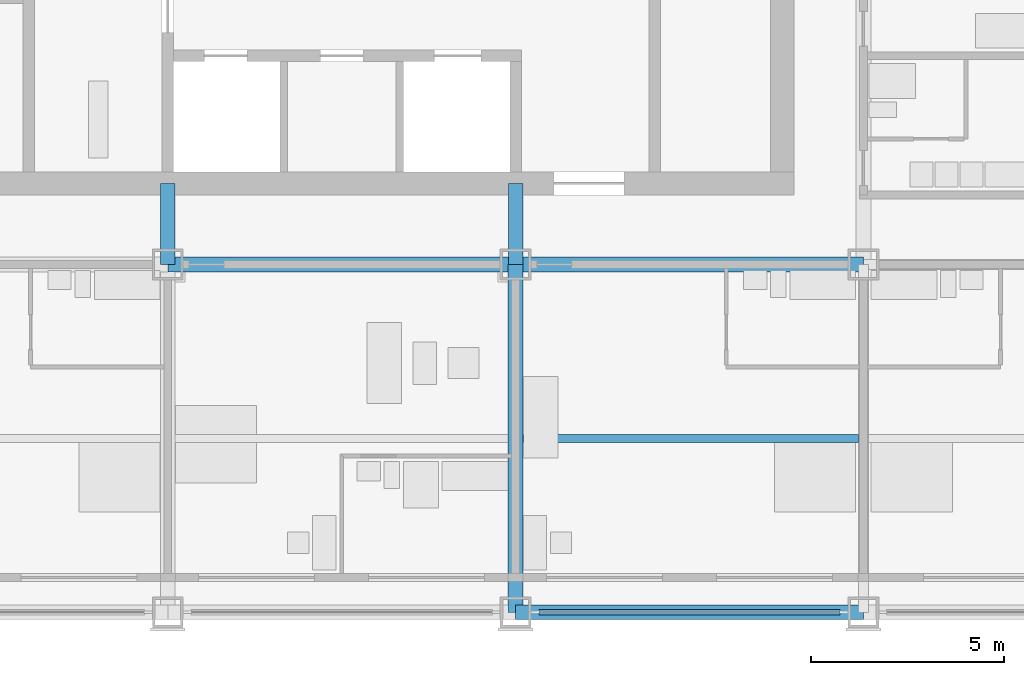
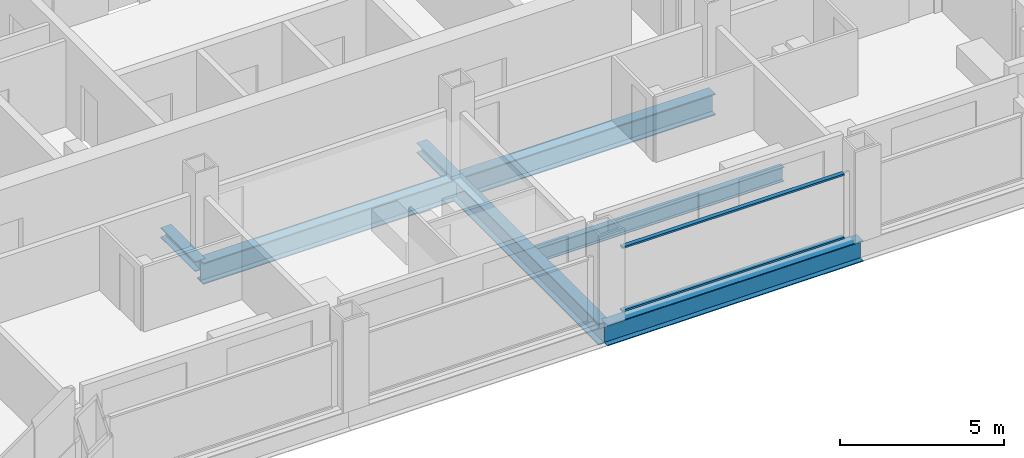
# One storey, part 3 of 13: 5 beams, 4 members, 1 element without a shape of its own.
"""IFC4 building model written with IfcOpenShell, lengths in metres."""

import ifcopenshell
import ifcopenshell.guid

model = None  # the IFC model being written
_history = None  # IfcOwnerHistory: only IFC2X3 demands one
_inside = {}  # id of a spatial element -> (the spatial element, [elements in it])
_under = {}  # id of a project, library or spatial element -> (it, [spatial elements below it])
_declared = {}  # id of a project -> (the project, [libraries it declares])
_typed = {}  # id of a type object -> (the type object, [elements of that type])
_made_of = {}  # id of a material, layer set ... -> (it, [elements and type objects made of it])


def new_model(schema):
    """Start an empty IFC model of exactly this schema.

    Asked for "IFC4X3", IfcOpenShell would pick the latest addendum, in which some entities
    have other attributes; the version numbers below select the first issue.
    IFC2X3 requires an IfcOwnerHistory on every rooted entity: one is made here for all.
    """
    global model, _history
    if schema == "IFC4X3":
        model = ifcopenshell.file(schema_version=(4, 3, 0, 0))
    else:
        model = ifcopenshell.file(schema=schema)
    _inside.clear()
    _under.clear()
    _declared.clear()
    _typed.clear()
    _made_of.clear()
    _history = None
    if model.schema == "IFC2X3":
        org = make("IfcOrganization", Name="unknown")
        user = make(
            "IfcPersonAndOrganization",
            ThePerson=make("IfcPerson", FamilyName="unknown"),
            TheOrganization=org,
        )
        app = make(
            "IfcApplication",
            ApplicationDeveloper=org,
            Version="unknown",
            ApplicationFullName="unknown",
            ApplicationIdentifier="unknown",
        )
        _history = make(
            "IfcOwnerHistory",
            OwningUser=user,
            OwningApplication=app,
            ChangeAction="ADDED",
            CreationDate=0,
        )
    return model


def make(cls, **values):
    """One entity of the class cls with the attributes given. An attribute that is None is left unset."""
    return model.create_entity(
        cls, **{name: value for name, value in values.items() if value is not None}
    )


def rooted(cls, **values):
    """An entity with a GlobalId (a new one), such as an element, a storey or a relation."""
    return make(cls, GlobalId=ifcopenshell.guid.new(), OwnerHistory=_history, **values)


def si_unit(unit_type, name, prefix=None):
    """IfcSIUnit, for example si_unit("LENGTHUNIT", "METRE", prefix="MILLI")."""
    return make("IfcSIUnit", UnitType=unit_type, Prefix=prefix, Name=name)


def assignment(units):
    """IfcUnitAssignment: the units of a project."""
    return None if units is None else make("IfcUnitAssignment", Units=units)


def point(xyz):
    """IfcCartesianPoint."""
    return None if xyz is None else make("IfcCartesianPoint", Coordinates=xyz)


def direction(xyz):
    """IfcDirection."""
    return None if xyz is None else make("IfcDirection", DirectionRatios=xyz)


def frame(location, z_axis=None, x_axis=None):
    """IfcAxis2Placement3D, a coordinate frame: its origin and axes. An axis left out is left unset."""
    return make(
        "IfcAxis2Placement3D",
        Location=point(location),
        Axis=direction(z_axis),
        RefDirection=direction(x_axis),
    )


def frame_2d(location, x_axis=None):
    """IfcAxis2Placement2D, a coordinate frame in the plane: its origin and x axis."""
    return make(
        "IfcAxis2Placement2D", Location=point(location), RefDirection=direction(x_axis)
    )


def origin():
    """The frame at (0, 0, 0) with its axes left unset."""
    return frame((0.0, 0.0, 0.0))


def origin_2d():
    """The frame at (0, 0) in the plane with its x axis left unset."""
    return frame_2d((0.0, 0.0))


def place(relative_to, where):
    """IfcLocalPlacement: puts the frame where relative to a parent placement (None: the world)."""
    return make(
        "IfcLocalPlacement", PlacementRelTo=relative_to, RelativePlacement=where
    )


def context(
    kind, dimensions, precision=None, world=None, true_north=None, identifier=None
):
    """IfcGeometricRepresentationContext, for example the 3D "Model" context."""
    return make(
        "IfcGeometricRepresentationContext",
        ContextIdentifier=identifier,
        ContextType=kind,
        CoordinateSpaceDimension=dimensions,
        Precision=precision,
        WorldCoordinateSystem=world,
        TrueNorth=true_north,
    )


def subcontext(parent, identifier, kind, view, scale=None):
    """IfcGeometricRepresentationSubContext, for example "Body" below "Model"."""
    return make(
        "IfcGeometricRepresentationSubContext",
        ContextIdentifier=identifier,
        ContextType=kind,
        ParentContext=parent,
        TargetScale=scale,
        TargetView=view,
    )


def project(units=None, contexts=None):
    """IfcProject with its units and contexts."""
    return rooted(
        "IfcProject",
        Name="project",
        RepresentationContexts=contexts,
        UnitsInContext=assignment(units),
    )


def spatial(cls, under=None, at=None, **own):
    """A site, building, storey or space (cls), placed at a placement, below another one or the project."""
    s = rooted(cls, ObjectPlacement=at, **own)
    if under is not None:
        _under.setdefault(under.id(), (under, []))[1].append(s)
    return s


def profile(cls, at=None, kind="AREA", **sizes):
    """A parametric profile (cls). Its sizes go by their IFC names, for example OverallWidth=200.0."""
    return make(cls, ProfileType=kind, Position=at, **sizes)


def rectangle(**sizes):
    """IfcRectangleProfileDef."""
    return profile("IfcRectangleProfileDef", **sizes)


def i_section(**sizes):
    """IfcIShapeProfileDef."""
    return profile("IfcIShapeProfileDef", **sizes)


def extrude(swept, where, along, depth):
    """IfcExtrudedAreaSolid: the profile swept, set in the frame where, extruded along a direction by depth."""
    return make(
        "IfcExtrudedAreaSolid",
        SweptArea=swept,
        Position=where,
        ExtrudedDirection=direction(along),
        Depth=depth,
    )


def shape(context_of_items, identifier, shape_type, items):
    """IfcShapeRepresentation: the items that make up one representation, for example the "Body"."""
    return make(
        "IfcShapeRepresentation",
        ContextOfItems=context_of_items,
        RepresentationIdentifier=identifier,
        RepresentationType=shape_type,
        Items=items,
    )


def material(Name=None, Category=None):
    """IfcMaterial."""
    return make("IfcMaterial", Name=Name, Category=Category)


def material_profile(
    of_material, cross_section, Name=None, Category=None, Priority=None
):
    """IfcMaterialProfile: a cross section and its material."""
    return make(
        "IfcMaterialProfile",
        Name=Name,
        Material=of_material,
        Profile=cross_section,
        Priority=Priority,
        Category=Category,
    )


def profile_set(profiles, Name=None, composite=None):
    """IfcMaterialProfileSet."""
    return make(
        "IfcMaterialProfileSet",
        Name=Name,
        MaterialProfiles=profiles,
        CompositeProfile=composite,
    )


def made_of(thing, what):
    """Note that an element or type object is made of a material, layer set ...; save() writes the relation."""
    if what is not None:
        _made_of.setdefault(what.id(), (what, []))[1].append(thing)
    return thing


def type_object(cls, material=None, **own):
    """A type object (cls), such as IfcWallType, which elements share."""
    return made_of(rooted(cls, **own), material)


def element(
    cls,
    number,
    at=None,
    inside=None,
    cuts=None,
    type_object=None,
    material=None,
    context=None,
    identifier="Body",
    shape_type=None,
    held_by="IfcProductDefinitionShape",
    body=None,
    shapes=None,
    **own,
):
    """One element of the class cls, such as IfcWall. Its Tag is "e" and its number.

    at: its placement. inside: the storey or other place that contains it. cuts: it is an
    opening in that element (IfcRelVoidsElement). A single representation is given by context,
    identifier, shape_type and body (its items); several are given by shapes. held_by: the class
    of the entity that holds the representations. save() writes the other relations.
    """
    e = rooted(cls, Tag="e%d" % number, ObjectPlacement=at, **own)
    if body is not None:
        shapes = [shape(context, identifier, shape_type, body)]
    if shapes is not None:
        e.Representation = make(held_by, Representations=shapes)
    if inside is not None:
        _inside.setdefault(inside.id(), (inside, []))[1].append(e)
    if cuts is not None:
        rooted(
            "IfcRelVoidsElement", RelatingBuildingElement=cuts, RelatedOpeningElement=e
        )
    if type_object is not None:
        _typed.setdefault(type_object.id(), (type_object, []))[1].append(e)
    return made_of(e, material)


def aggregate(whole, parts):
    """IfcRelAggregates: a whole, such as a stair, and the parts it consists of."""
    return rooted("IfcRelAggregates", RelatingObject=whole, RelatedObjects=parts)


def save(model, path):
    """Write the relations noted so far, then the file.

    IfcRelAggregates (storeys below a building ...), IfcRelContainedInSpatialStructure (elements
    in a storey), IfcRelDefinesByType, IfcRelAssociatesMaterial and IfcRelDeclares: one each for
    every whole, place, type object, material and project.
    """
    for whole, parts in _under.values():
        aggregate(whole, parts)
    for where, things in _inside.values():
        rooted(
            "IfcRelContainedInSpatialStructure",
            RelatedElements=things,
            RelatingStructure=where,
        )
    for kind, things in _typed.values():
        rooted("IfcRelDefinesByType", RelatedObjects=things, RelatingType=kind)
    for what, things in _made_of.values():
        rooted("IfcRelAssociatesMaterial", RelatedObjects=things, RelatingMaterial=what)
    for by, libraries in _declared.values():
        rooted("IfcRelDeclares", RelatingContext=by, RelatedDefinitions=libraries)
    model.write(path)


model = new_model("IFC4")

# Units and contexts
model_context = context("Model", 3, precision=1e-05, world=origin(), true_north=direction((0.0, 1.0)))
body_context = subcontext(model_context, "Body", "Model", "MODEL_VIEW")
ifc_project = project(units=[si_unit("LENGTHUNIT", "METRE"), si_unit("AREAUNIT", "SQUARE_METRE"), si_unit("VOLUMEUNIT", "CUBIC_METRE"), si_unit("PLANEANGLEUNIT", "RADIAN"), si_unit("MASSUNIT", "GRAM", prefix="KILO")], contexts=[model_context])

# Site, building, storey
site_placement = place(None, origin())
site = spatial("IfcSite", under=ifc_project, at=site_placement, CompositionType="ELEMENT")
building_placement = place(site_placement, origin())
building = spatial("IfcBuilding", under=site, at=building_placement, Name="Loomwork Tower", CompositionType="ELEMENT")
storey_placement = place(building_placement, frame((0.0, 0.0, 180.800048828125)))
storey = spatial("IfcBuildingStorey", under=building, at=storey_placement, Name="L49", CompositionType="ELEMENT", Elevation=180.800048828125)

# Beams
ifc_material_1 = material(Name="Steel ASTM A992", Category="steel")
ifc_material_profile_1 = material_profile(ifc_material_1, i_section(OverallWidth=0.383544921875, OverallDepth=0.794921875, WebThickness=0.02099609375, FlangeThickness=0.0380859375, at=origin_2d()), Name="W30x235")
ifc_profile_set_1 = profile_set([ifc_material_profile_1], Name="Steel ASTM A992")
beam_type_1 = type_object("IfcBeamType", Name="CORE FLANK GIRDER W30x235", PredefinedType="BEAM", material=ifc_profile_set_1)
for number, where, z_axis, x_axis, name in (
    (1, (18.0, 9.0, -0.59765625), (1.0, 0.0, 0.0), (0.0, 1.0, 0.0), "Core Flank Girder E/4-E/5 L49"),
    (2, (27.0, 9.0, -0.59765625), (1.0, 0.0, 0.0), (0.0, 1.0, 0.0), "Core Flank Girder E/5-E/6 L49"),
    (3, (27.0, 0.0, -0.59765625), (0.0, 1.0, 0.0), (-1.0, 0.0, 0.0), "Core Flank Girder D/5-E/5 L49"),
):
    element("IfcBeam", number, at=place(storey_placement, frame(where, z_axis=z_axis, x_axis=x_axis)), inside=storey, type_object=beam_type_1, Name=name, PredefinedType="BEAM", context=body_context, shape_type="SweptSolid", body=[
        extrude(i_section(OverallWidth=0.383544921875, OverallDepth=0.794921875, WebThickness=0.02099609375, FlangeThickness=0.0380859375, at=origin_2d()), origin(), (0.0, 0.0, 1.0), 9.0),
    ])

# Members
ifc_material_2 = material(Name="Steel ASTM A992", Category="steel")
ifc_material_profile_2 = material_profile(ifc_material_2, i_section(OverallWidth=0.373291015625, OverallDepth=0.373291015625, WebThickness=0.016357421875, FlangeThickness=0.026123046875, at=origin_2d()), Name="W14x132")
ifc_profile_set_2 = profile_set([ifc_material_profile_2], Name="Steel ASTM A992")
member_type_1 = type_object("IfcMemberType", Name="CORE LINK STRUT W14x132", PredefinedType="STRUT", material=ifc_profile_set_2)
for number, where, z_axis, x_axis, name in (
    (4, (27.0, 9.0, -0.38671875), (0.0, 1.0, 0.0), (-1.0, 0.0, 0.0), "Core link strut E/5-27.000,11.100 L49"),
    (5, (18.0, 9.0, -0.38671875), (0.0, 1.0, 0.0), (-1.0, 0.0, 0.0), "Core link strut E/4-18.000,11.100 L49"),
):
    element("IfcMember", number, at=place(storey_placement, frame(where, z_axis=z_axis, x_axis=x_axis)), inside=storey, type_object=member_type_1, Name=name, PredefinedType="STRUT", context=body_context, shape_type="SweptSolid", body=[
        extrude(i_section(OverallWidth=0.373291015625, OverallDepth=0.373291015625, WebThickness=0.016357421875, FlangeThickness=0.026123046875, at=origin_2d()), origin(), (0.0, 0.0, 1.0), 2.10009765625),
    ])

# Beam
ifc_material_3 = material(Name="Steel ASTM A992", Category="steel")
ifc_material_profile_3 = material_profile(ifc_material_3, i_section(OverallWidth=0.2109375, OverallDepth=0.53857421875, WebThickness=0.011474609375, FlangeThickness=0.018798828125, at=origin_2d()), Name="W21x73")
ifc_profile_set_3 = profile_set([ifc_material_profile_3], Name="Steel ASTM A992")
beam_type_2 = type_object("IfcBeamType", Name="FLOOR JOIST W21x73", PredefinedType="JOIST", material=ifc_profile_set_3)
beam_1_placement = place(storey_placement, frame((27.19091796875, 4.5, -0.46923828125), z_axis=(1.0, 0.0, 0.0), x_axis=(0.0, 1.0, 0.0)))
element("IfcBeam", 6, at=beam_1_placement, inside=storey, type_object=beam_type_2, Name="Floor Joist 27.000,4.500-36.000,4.500 L49", PredefinedType="JOIST", context=body_context, shape_type="SweptSolid", body=[
    extrude(i_section(OverallWidth=0.2109375, OverallDepth=0.53857421875, WebThickness=0.011474609375, FlangeThickness=0.018798828125, at=origin_2d()), origin(), (0.0, 0.0, 1.0), 8.676025390625),
])

# Curtain wall, members
ifc_material_4 = material(Name="Aluminium curtain wall frame", Category="aluminium")
curtain_wall_type = type_object("IfcCurtainWallType", Name="Outer skin glazing hotel", PredefinedType="NOTDEFINED", material=ifc_material_4)
curtain_wall_placement = place(storey_placement, origin())
curtain_wall = element("IfcCurtainWall", 7, at=curtain_wall_placement, inside=storey, type_object=curtain_wall_type, Name="Outer skin glazing hotel cw/S-27", PredefinedType="NOTDEFINED")
ifc_material_5 = material(Name="Aluminium curtain wall frame", Category="aluminium")
ifc_material_profile_4 = material_profile(ifc_material_5, rectangle(XDim=0.14990234375, YDim=0.06494140625, at=origin_2d()), Name="AL 65x150")
ifc_profile_set_4 = profile_set([ifc_material_profile_4], Name="Aluminium curtain wall frame")
member_type_2 = type_object("IfcMemberType", Name="Outer skin glazing hotel transom", PredefinedType="USERDEFINED", material=ifc_profile_set_4)
member_1_placement = place(storey_placement, frame((27.60009765625, 0.0, 0.032470703125), z_axis=(1.0, 0.0, 0.0), x_axis=(0.0, 1.0, 0.0)))
member_1 = element("IfcMember", 8, at=member_1_placement, type_object=member_type_2, Name="CW1 transom 1.1", ObjectType="TRANSOM", PredefinedType="USERDEFINED", context=body_context, shape_type="SweptSolid", body=[
    extrude(rectangle(XDim=0.14990234375, YDim=0.06494140625, at=origin_2d()), origin(), (0.0, 0.0, 1.0), 7.7998046875),
])
member_2_placement = place(storey_placement, frame((27.60009765625, 0.0, 2.3876953125), z_axis=(1.0, 0.0, 0.0), x_axis=(0.0, 1.0, 0.0)))
member_2 = element("IfcMember", 9, at=member_2_placement, type_object=member_type_2, Name="CW1 transom 1.2", ObjectType="TRANSOM", PredefinedType="USERDEFINED", context=body_context, shape_type="SweptSolid", body=[
    extrude(rectangle(XDim=0.14990234375, YDim=0.06494140625, at=origin_2d()), origin(), (0.0, 0.0, 1.0), 7.7998046875),
])
aggregate(curtain_wall, [member_1, member_2])

# Beam
ifc_material_6 = material(Name="Steel ASTM A992", Category="steel")
ifc_material_profile_5 = material_profile(ifc_material_6, i_section(OverallWidth=0.381103515625, OverallDepth=0.77978515625, WebThickness=0.01806640625, FlangeThickness=0.0302734375, at=origin_2d()), Name="W30x191")
ifc_profile_set_5 = profile_set([ifc_material_profile_5], Name="Steel ASTM A992")
beam_type_3 = type_object("IfcBeamType", Name="SPANDREL GIRDER W30x191", PredefinedType="SPANDREL", material=ifc_profile_set_5)
beam_2_placement = place(storey_placement, frame((27.0, 0.0, -0.58984375), z_axis=(1.0, 0.0, 0.0), x_axis=(0.0, 1.0, 0.0)))
element("IfcBeam", 10, at=beam_2_placement, inside=storey, type_object=beam_type_3, Name="Spandrel Girder D/5-D/6 L49", PredefinedType="SPANDREL", context=body_context, shape_type="SweptSolid", body=[
    extrude(i_section(OverallWidth=0.381103515625, OverallDepth=0.77978515625, WebThickness=0.01806640625, FlangeThickness=0.0302734375, at=origin_2d()), origin(), (0.0, 0.0, 1.0), 9.0),
])

save(model, "model.ifc")
